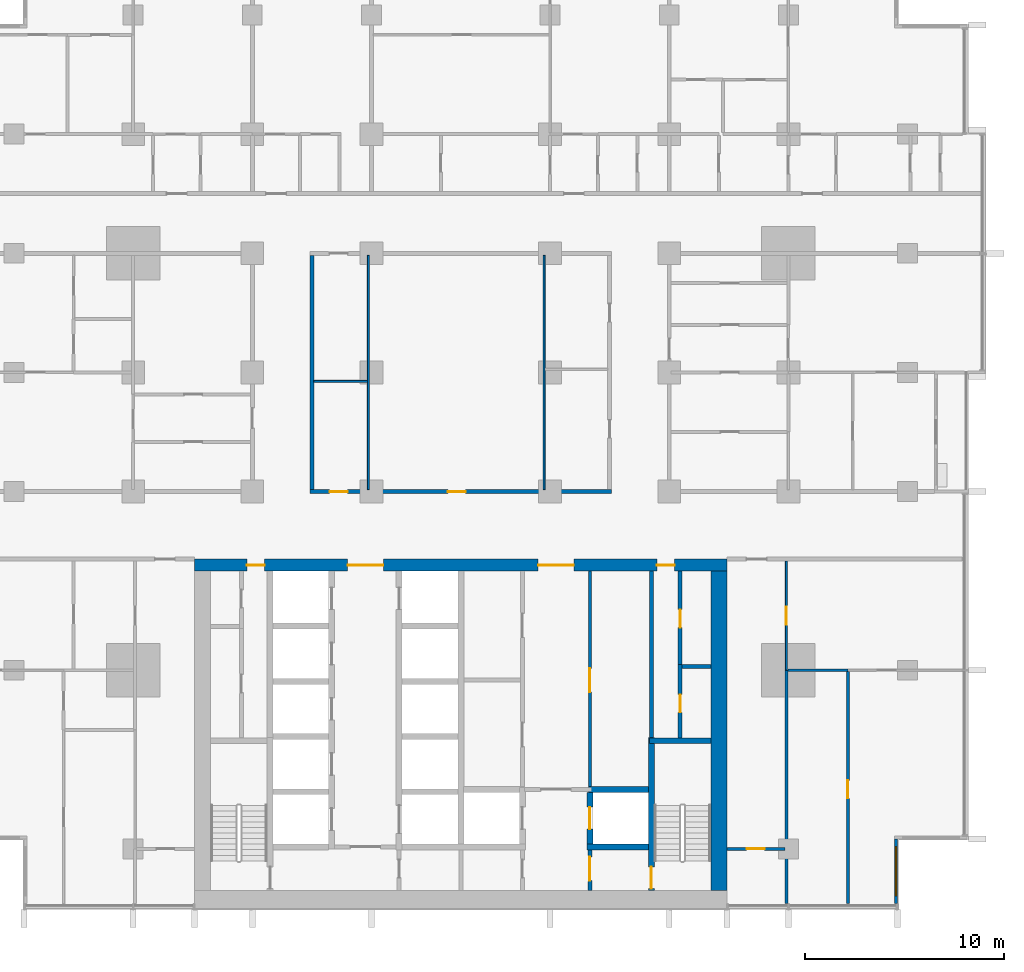
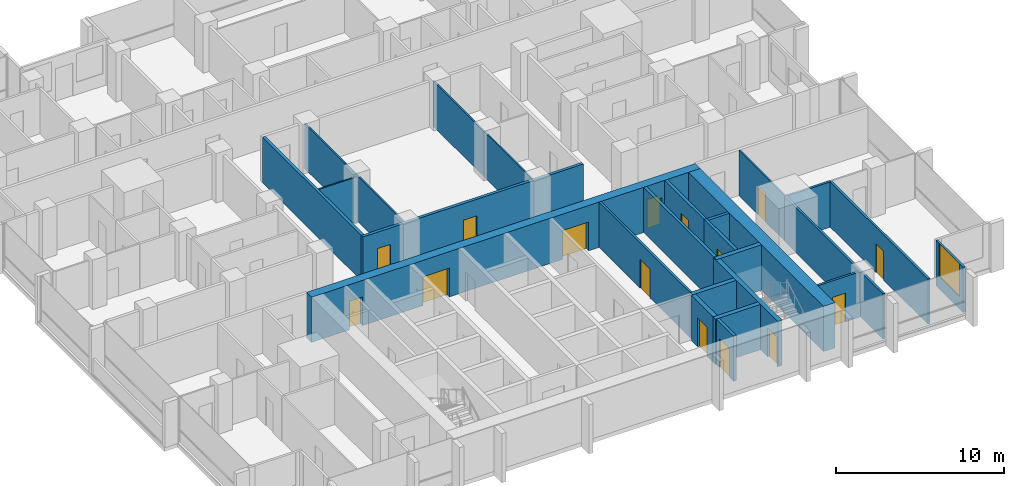
# One storey, part 9 of 18: 24 walls, 15 doors, 1 window, 16 openings.
"""IFC4 building model written with IfcOpenShell, lengths in metres."""

import ifcopenshell
import ifcopenshell.guid

model = None  # the IFC model being written
_history = None  # IfcOwnerHistory: only IFC2X3 demands one
_inside = {}  # id of a spatial element -> (the spatial element, [elements in it])
_under = {}  # id of a project, library or spatial element -> (it, [spatial elements below it])
_declared = {}  # id of a project -> (the project, [libraries it declares])
_typed = {}  # id of a type object -> (the type object, [elements of that type])
_made_of = {}  # id of a material, layer set ... -> (it, [elements and type objects made of it])


def new_model(schema):
    """Start an empty IFC model of exactly this schema.

    Asked for "IFC4X3", IfcOpenShell would pick the latest addendum, in which some entities
    have other attributes; the version numbers below select the first issue.
    IFC2X3 requires an IfcOwnerHistory on every rooted entity: one is made here for all.
    """
    global model, _history
    if schema == "IFC4X3":
        model = ifcopenshell.file(schema_version=(4, 3, 0, 0))
    else:
        model = ifcopenshell.file(schema=schema)
    _inside.clear()
    _under.clear()
    _declared.clear()
    _typed.clear()
    _made_of.clear()
    _history = None
    if model.schema == "IFC2X3":
        org = make("IfcOrganization", Name="unknown")
        user = make(
            "IfcPersonAndOrganization",
            ThePerson=make("IfcPerson", FamilyName="unknown"),
            TheOrganization=org,
        )
        app = make(
            "IfcApplication",
            ApplicationDeveloper=org,
            Version="unknown",
            ApplicationFullName="unknown",
            ApplicationIdentifier="unknown",
        )
        _history = make(
            "IfcOwnerHistory",
            OwningUser=user,
            OwningApplication=app,
            ChangeAction="ADDED",
            CreationDate=0,
        )
    return model


def make(cls, **values):
    """One entity of the class cls with the attributes given. An attribute that is None is left unset."""
    return model.create_entity(
        cls, **{name: value for name, value in values.items() if value is not None}
    )


def rooted(cls, **values):
    """An entity with a GlobalId (a new one), such as an element, a storey or a relation."""
    return make(cls, GlobalId=ifcopenshell.guid.new(), OwnerHistory=_history, **values)


def si_unit(unit_type, name, prefix=None):
    """IfcSIUnit, for example si_unit("LENGTHUNIT", "METRE", prefix="MILLI")."""
    return make("IfcSIUnit", UnitType=unit_type, Prefix=prefix, Name=name)


def assignment(units):
    """IfcUnitAssignment: the units of a project."""
    return None if units is None else make("IfcUnitAssignment", Units=units)


def point(xyz):
    """IfcCartesianPoint."""
    return None if xyz is None else make("IfcCartesianPoint", Coordinates=xyz)


def direction(xyz):
    """IfcDirection."""
    return None if xyz is None else make("IfcDirection", DirectionRatios=xyz)


def frame(location, z_axis=None, x_axis=None):
    """IfcAxis2Placement3D, a coordinate frame: its origin and axes. An axis left out is left unset."""
    return make(
        "IfcAxis2Placement3D",
        Location=point(location),
        Axis=direction(z_axis),
        RefDirection=direction(x_axis),
    )


def frame_2d(location, x_axis=None):
    """IfcAxis2Placement2D, a coordinate frame in the plane: its origin and x axis."""
    return make(
        "IfcAxis2Placement2D", Location=point(location), RefDirection=direction(x_axis)
    )


def origin():
    """The frame at (0, 0, 0) with its axes left unset."""
    return frame((0.0, 0.0, 0.0))


def place(relative_to, where):
    """IfcLocalPlacement: puts the frame where relative to a parent placement (None: the world)."""
    return make(
        "IfcLocalPlacement", PlacementRelTo=relative_to, RelativePlacement=where
    )


def context(
    kind, dimensions, precision=None, world=None, true_north=None, identifier=None
):
    """IfcGeometricRepresentationContext, for example the 3D "Model" context."""
    return make(
        "IfcGeometricRepresentationContext",
        ContextIdentifier=identifier,
        ContextType=kind,
        CoordinateSpaceDimension=dimensions,
        Precision=precision,
        WorldCoordinateSystem=world,
        TrueNorth=true_north,
    )


def subcontext(parent, identifier, kind, view, scale=None):
    """IfcGeometricRepresentationSubContext, for example "Body" below "Model"."""
    return make(
        "IfcGeometricRepresentationSubContext",
        ContextIdentifier=identifier,
        ContextType=kind,
        ParentContext=parent,
        TargetScale=scale,
        TargetView=view,
    )


def project(units=None, contexts=None):
    """IfcProject with its units and contexts."""
    return rooted(
        "IfcProject",
        Name="project",
        RepresentationContexts=contexts,
        UnitsInContext=assignment(units),
    )


def spatial(cls, under=None, at=None, **own):
    """A site, building, storey or space (cls), placed at a placement, below another one or the project."""
    s = rooted(cls, ObjectPlacement=at, **own)
    if under is not None:
        _under.setdefault(under.id(), (under, []))[1].append(s)
    return s


def profile(cls, at=None, kind="AREA", **sizes):
    """A parametric profile (cls). Its sizes go by their IFC names, for example OverallWidth=200.0."""
    return make(cls, ProfileType=kind, Position=at, **sizes)


def rectangle(**sizes):
    """IfcRectangleProfileDef."""
    return profile("IfcRectangleProfileDef", **sizes)


def extrude(swept, where, along, depth):
    """IfcExtrudedAreaSolid: the profile swept, set in the frame where, extruded along a direction by depth."""
    return make(
        "IfcExtrudedAreaSolid",
        SweptArea=swept,
        Position=where,
        ExtrudedDirection=direction(along),
        Depth=depth,
    )


def shape(context_of_items, identifier, shape_type, items):
    """IfcShapeRepresentation: the items that make up one representation, for example the "Body"."""
    return make(
        "IfcShapeRepresentation",
        ContextOfItems=context_of_items,
        RepresentationIdentifier=identifier,
        RepresentationType=shape_type,
        Items=items,
    )


def material(Name=None, Category=None):
    """IfcMaterial."""
    return make("IfcMaterial", Name=Name, Category=Category)


def layer(
    of_material, thickness, ventilated=None, Name=None, Category=None, Priority=None
):
    """IfcMaterialLayer: one layer of a wall or slab, of a material (None: an air gap)."""
    return make(
        "IfcMaterialLayer",
        Material=of_material,
        LayerThickness=thickness,
        IsVentilated=ventilated,
        Name=Name,
        Category=Category,
        Priority=Priority,
    )


def layer_set(layers, Name=None):
    """IfcMaterialLayerSet."""
    return make("IfcMaterialLayerSet", MaterialLayers=layers, LayerSetName=Name)


def made_of(thing, what):
    """Note that an element or type object is made of a material, layer set ...; save() writes the relation."""
    if what is not None:
        _made_of.setdefault(what.id(), (what, []))[1].append(thing)
    return thing


def type_object(cls, material=None, **own):
    """A type object (cls), such as IfcWallType, which elements share."""
    return made_of(rooted(cls, **own), material)


def element(
    cls,
    number,
    at=None,
    inside=None,
    cuts=None,
    type_object=None,
    material=None,
    context=None,
    identifier="Body",
    shape_type=None,
    held_by="IfcProductDefinitionShape",
    body=None,
    shapes=None,
    **own,
):
    """One element of the class cls, such as IfcWall. Its Tag is "e" and its number.

    at: its placement. inside: the storey or other place that contains it. cuts: it is an
    opening in that element (IfcRelVoidsElement). A single representation is given by context,
    identifier, shape_type and body (its items); several are given by shapes. held_by: the class
    of the entity that holds the representations. save() writes the other relations.
    """
    e = rooted(cls, Tag="e%d" % number, ObjectPlacement=at, **own)
    if body is not None:
        shapes = [shape(context, identifier, shape_type, body)]
    if shapes is not None:
        e.Representation = make(held_by, Representations=shapes)
    if inside is not None:
        _inside.setdefault(inside.id(), (inside, []))[1].append(e)
    if cuts is not None:
        rooted(
            "IfcRelVoidsElement", RelatingBuildingElement=cuts, RelatedOpeningElement=e
        )
    if type_object is not None:
        _typed.setdefault(type_object.id(), (type_object, []))[1].append(e)
    return made_of(e, material)


def fill(opening, filler):
    """IfcRelFillsElement: the door or window that sits in an opening."""
    return rooted(
        "IfcRelFillsElement",
        RelatingOpeningElement=opening,
        RelatedBuildingElement=filler,
    )


def aggregate(whole, parts):
    """IfcRelAggregates: a whole, such as a stair, and the parts it consists of."""
    return rooted("IfcRelAggregates", RelatingObject=whole, RelatedObjects=parts)


def save(model, path):
    """Write the relations noted so far, then the file.

    IfcRelAggregates (storeys below a building ...), IfcRelContainedInSpatialStructure (elements
    in a storey), IfcRelDefinesByType, IfcRelAssociatesMaterial and IfcRelDeclares: one each for
    every whole, place, type object, material and project.
    """
    for whole, parts in _under.values():
        aggregate(whole, parts)
    for where, things in _inside.values():
        rooted(
            "IfcRelContainedInSpatialStructure",
            RelatedElements=things,
            RelatingStructure=where,
        )
    for kind, things in _typed.values():
        rooted("IfcRelDefinesByType", RelatedObjects=things, RelatingType=kind)
    for what, things in _made_of.values():
        rooted("IfcRelAssociatesMaterial", RelatedObjects=things, RelatingMaterial=what)
    for by, libraries in _declared.values():
        rooted("IfcRelDeclares", RelatingContext=by, RelatedDefinitions=libraries)
    model.write(path)


model = new_model("IFC4")

# Units and contexts
model_context = context("Model", 3, precision=1e-05, world=origin(), true_north=direction((0.0, 1.0)))
body_context = subcontext(model_context, "Body", "Model", "MODEL_VIEW")
ifc_project = project(units=[si_unit("LENGTHUNIT", "METRE"), si_unit("AREAUNIT", "SQUARE_METRE"), si_unit("VOLUMEUNIT", "CUBIC_METRE"), si_unit("PLANEANGLEUNIT", "RADIAN"), si_unit("MASSUNIT", "GRAM", prefix="KILO")], contexts=[model_context])

# Site, building, storey
site_placement = place(None, origin())
site = spatial("IfcSite", under=ifc_project, at=site_placement, CompositionType="ELEMENT")
building_placement = place(site_placement, origin())
building = spatial("IfcBuilding", under=site, at=building_placement, Name="Finial Court Residences", CompositionType="ELEMENT")
storey_placement = place(building_placement, frame((0.0, 0.0, 106.300048828125)))
storey = spatial("IfcBuildingStorey", under=building, at=storey_placement, Name="L26", CompositionType="ELEMENT", Elevation=106.300048828125)

# Wall, openings, doors
ifc_material_1 = material(Name="Concrete C70/85", Category="concrete")
ifc_layer_1 = layer(ifc_material_1, 0.60009765625)
ifc_layer_set_1 = layer_set([ifc_layer_1], Name="Core outer wall 600 Concrete C70/85")
wall_type_1 = type_object("IfcWallType", Name="Core outer wall 600 Concrete C70/85", PredefinedType="SHEAR", material=ifc_layer_set_1)
wall_1_placement = place(storey_placement, frame((-13.39990234375, -8.199951171875, 0.0), z_axis=(0.0, 0.0, 1.0), x_axis=(1.0, 0.0, 0.0)))
wall_1 = element("IfcWall", 1, at=wall_1_placement, inside=storey, type_object=wall_type_1, Name="Core outer wall L26-02", PredefinedType="SHEAR", context=body_context, shape_type="SweptSolid", body=[
    extrude(rectangle(XDim=26.7998046875, YDim=0.60009765625, at=frame_2d((13.39990234375, 0.0))), origin(), (0.0, 0.0, 1.0), 3.300048828125),
])
opening_1_placement = place(wall_1_placement, frame((7.699951171875, 0.0, 0.0)))
opening_1 = element("IfcOpeningElement", 2, at=opening_1_placement, cuts=wall_1, Name="Opening L26-C04", PredefinedType="OPENING", context=body_context, shape_type="SweptSolid", body=[
    extrude(rectangle(XDim=1.800048828125, YDim=2.10009765625, at=frame_2d((0.89990234375, 1.050048828125))), frame((0.0, 0.31005859375, 0.0), z_axis=(0.0, -1.0, 0.0), x_axis=(1.0, 0.0, 0.0)), (0.0, 0.0, 1.0), 0.6201171875),
])
opening_2_placement = place(wall_1_placement, frame((17.300048828125, 0.0, 0.0)))
opening_2 = element("IfcOpeningElement", 3, at=opening_2_placement, cuts=wall_1, Name="Opening L26-C05", PredefinedType="OPENING", context=body_context, shape_type="SweptSolid", body=[
    extrude(rectangle(XDim=1.800048828125, YDim=2.10009765625, at=frame_2d((0.89990234375, 1.050048828125))), frame((0.0, 0.31005859375, 0.0), z_axis=(0.0, -1.0, 0.0), x_axis=(1.0, 0.0, 0.0)), (0.0, 0.0, 1.0), 0.6201171875),
])
opening_3_placement = place(wall_1_placement, frame((2.625, 0.0, 0.0)))
opening_3 = element("IfcOpeningElement", 4, at=opening_3_placement, cuts=wall_1, Name="Opening L26-C11", PredefinedType="OPENING", context=body_context, shape_type="SweptSolid", body=[
    extrude(rectangle(XDim=0.89990234375, YDim=2.10009765625, at=frame_2d((0.449951171875, 1.050048828125))), frame((0.0, 0.31005859375, 0.0), z_axis=(0.0, -1.0, 0.0), x_axis=(1.0, 0.0, 0.0)), (0.0, 0.0, 1.0), 0.6201171875),
])
opening_4_placement = place(wall_1_placement, frame((23.27490234375, 0.0, 0.0)))
opening_4 = element("IfcOpeningElement", 5, at=opening_4_placement, cuts=wall_1, Name="Opening L26-C12", PredefinedType="OPENING", context=body_context, shape_type="SweptSolid", body=[
    extrude(rectangle(XDim=0.89990234375, YDim=2.10009765625, at=frame_2d((0.449951171875, 1.050048828125))), frame((0.0, 0.31005859375, 0.0), z_axis=(0.0, -1.0, 0.0), x_axis=(1.0, 0.0, 0.0)), (0.0, 0.0, 1.0), 0.6201171875),
])
ifc_material_2 = material(Name="Steel fire door", Category="steel")
door_type_1 = type_object("IfcDoorType", Name="Lift lobby door 1800 x 2100 EI 60", OperationType="DOUBLE_DOOR_SINGLE_SWING", PredefinedType="DOOR", material=ifc_material_2)
door_1_placement = place(opening_1_placement, origin())
door_1 = element("IfcDoor", 6, at=door_1_placement, inside=storey, type_object=door_type_1, Name="Lift lobby door L26-C04", OperationType="DOUBLE_DOOR_SINGLE_SWING", OverallHeight=2.10009765625, OverallWidth=1.800048828125, PredefinedType="DOOR", context=body_context, shape_type="SweptSolid", body=[
    extrude(rectangle(XDim=1.800048828125, YDim=2.10009765625, at=frame_2d((0.89990234375, 1.050048828125))), frame((0.0, 0.02490234375, 0.0), z_axis=(0.0, -1.0, 0.0), x_axis=(1.0, 0.0, 0.0)), (0.0, 0.0, 1.0), 0.050048828125),
])
fill(opening_1, door_1)
door_2_placement = place(opening_2_placement, origin())
door_2 = element("IfcDoor", 7, at=door_2_placement, inside=storey, type_object=door_type_1, Name="Lift lobby door L26-C05", OperationType="DOUBLE_DOOR_SINGLE_SWING", OverallHeight=2.10009765625, OverallWidth=1.800048828125, PredefinedType="DOOR", context=body_context, shape_type="SweptSolid", body=[
    extrude(rectangle(XDim=1.800048828125, YDim=2.10009765625, at=frame_2d((0.89990234375, 1.050048828125))), frame((0.0, 0.02490234375, 0.0), z_axis=(0.0, -1.0, 0.0), x_axis=(1.0, 0.0, 0.0)), (0.0, 0.0, 1.0), 0.050048828125),
])
fill(opening_2, door_2)
door_type_2 = type_object("IfcDoorType", Name="Riser room door 900 x 2100 EI 90", OperationType="NOTDEFINED", PredefinedType="DOOR", material=ifc_material_2)
door_3_placement = place(opening_3_placement, origin())
door_3 = element("IfcDoor", 8, at=door_3_placement, inside=storey, type_object=door_type_2, Name="Riser room door L26-C11", OperationType="SINGLE_SWING_RIGHT", OverallHeight=2.10009765625, OverallWidth=0.89990234375, PredefinedType="DOOR", context=body_context, shape_type="SweptSolid", body=[
    extrude(rectangle(XDim=0.89990234375, YDim=2.10009765625, at=frame_2d((0.449951171875, 1.050048828125))), frame((0.0, 0.02490234375, 0.0), z_axis=(0.0, -1.0, 0.0), x_axis=(1.0, 0.0, 0.0)), (0.0, 0.0, 1.0), 0.050048828125),
])
fill(opening_3, door_3)
door_4_placement = place(opening_4_placement, origin())
door_4 = element("IfcDoor", 9, at=door_4_placement, inside=storey, type_object=door_type_2, Name="Riser room door L26-C12", OperationType="SINGLE_SWING_LEFT", OverallHeight=2.10009765625, OverallWidth=0.89990234375, PredefinedType="DOOR", context=body_context, shape_type="SweptSolid", body=[
    extrude(rectangle(XDim=0.89990234375, YDim=2.10009765625, at=frame_2d((0.449951171875, 1.050048828125))), frame((0.0, 0.02490234375, 0.0), z_axis=(0.0, -1.0, 0.0), x_axis=(1.0, 0.0, 0.0)), (0.0, 0.0, 1.0), 0.050048828125),
])
fill(opening_4, door_4)

# Wall
ifc_layer_2 = layer(ifc_material_1, 0.800048828125)
ifc_layer_set_2 = layer_set([ifc_layer_2], Name="Core outer wall 800 Concrete C70/85")
wall_type_2 = type_object("IfcWallType", Name="Core outer wall 800 Concrete C70/85", PredefinedType="SHEAR", material=ifc_layer_set_2)
wall_2_placement = place(storey_placement, frame((13.0, -24.60009765625, 0.0), z_axis=(0.0, 0.0, 1.0), x_axis=(0.0, 1.0, 0.0)))
element("IfcWall", 10, at=wall_2_placement, inside=storey, type_object=wall_type_2, Name="Core outer wall L26-04", PredefinedType="SHEAR", context=body_context, shape_type="SweptSolid", body=[
    extrude(rectangle(XDim=16.10009765625, YDim=0.800048828125, at=frame_2d((8.050048828125, 0.0))), origin(), (0.0, 0.0, 1.0), 3.300048828125),
])

# Wall, opening, door
ifc_material_3 = material(Name="Fire-rated gypsum board partition")
ifc_layer_3 = layer(ifc_material_3, 0.14990234375)
ifc_layer_set_3 = layer_set([ifc_layer_3], Name="Core room partition 150 EI 60")
wall_type_3 = type_object("IfcWallType", Name="Core room partition 150 EI 60", PredefinedType="PARTITIONING", material=ifc_layer_set_3)
wall_3_placement = place(storey_placement, frame((6.5, -8.5, 0.0), z_axis=(0.0, 0.0, 1.0), x_axis=(0.0, -1.0, 0.0)))
wall_3 = element("IfcWall", 11, at=wall_3_placement, inside=storey, type_object=wall_type_3, Name="Core partition L26-35", PredefinedType="PARTITIONING", context=body_context, shape_type="SweptSolid", body=[
    extrude(rectangle(XDim=10.85009765625, YDim=0.14990234375, at=frame_2d((5.425048828125, 0.0))), origin(), (0.0, 0.0, 1.0), 3.300048828125),
])
opening_5_placement = place(wall_3_placement, frame((4.89990234375, 0.0, 0.0)))
opening_5 = element("IfcOpeningElement", 12, at=opening_5_placement, cuts=wall_3, Name="Opening L26-C16", PredefinedType="OPENING", context=body_context, shape_type="SweptSolid", body=[
    extrude(rectangle(XDim=1.199951171875, YDim=2.10009765625, at=frame_2d((0.60009765625, 1.050048828125))), frame((0.0, 0.0849609375, 0.0), z_axis=(0.0, -1.0, 0.0), x_axis=(1.0, 0.0, 0.0)), (0.0, 0.0, 1.0), 0.169921875),
])
door_type_3 = type_object("IfcDoorType", Name="Core room door 1200 x 2100 EI 60", OperationType="NOTDEFINED", PredefinedType="DOOR", material=ifc_material_2)
door_5_placement = place(opening_5_placement, origin())
door_5 = element("IfcDoor", 13, at=door_5_placement, inside=storey, type_object=door_type_3, Name="Core room door L26-C16", OperationType="SINGLE_SWING_RIGHT", OverallHeight=2.10009765625, OverallWidth=1.199951171875, PredefinedType="DOOR", context=body_context, shape_type="SweptSolid", body=[
    extrude(rectangle(XDim=1.199951171875, YDim=2.10009765625, at=frame_2d((0.60009765625, 1.050048828125))), frame((0.0, 0.02490234375, 0.0), z_axis=(0.0, -1.0, 0.0), x_axis=(1.0, 0.0, 0.0)), (0.0, 0.0, 1.0), 0.050048828125),
])
fill(opening_5, door_5)

# Wall, openings, doors
ifc_material_4 = material(Name="Gypsum board")
ifc_layer_4 = layer(ifc_material_4, 0.02490234375)
ifc_material_5 = material(Name="Acoustic mineral wool in double frame")
ifc_layer_5 = layer(ifc_material_5, 0.14990234375)
ifc_layer_6 = layer(ifc_material_4, 0.02490234375)
ifc_layer_set_4 = layer_set([ifc_layer_4, ifc_layer_5, ifc_layer_6], Name="Corridor wall 200, 1 hour")
wall_type_4 = type_object("IfcWallType", Name="Corridor wall 200, 1 hour", PredefinedType="PARTITIONING", material=ifc_layer_set_4)
wall_4_placement = place(storey_placement, frame((-7.60009765625, -4.5, 0.0), z_axis=(0.0, 0.0, 1.0), x_axis=(1.0, 0.0, 0.0)))
wall_4 = element("IfcWall", 14, at=wall_4_placement, inside=storey, type_object=wall_type_4, Name="Partition L26-010", PredefinedType="PARTITIONING", context=body_context, shape_type="SweptSolid", body=[
    extrude(rectangle(XDim=15.2001953125, YDim=0.199951171875, at=frame_2d((7.60009765625, 0.0))), origin(), (0.0, 0.0, 1.0), 3.300048828125),
])
opening_6_placement = place(wall_4_placement, frame((1.0, 0.0, 0.0)))
opening_6 = element("IfcOpeningElement", 15, at=opening_6_placement, cuts=wall_4, Name="Opening L26-D007", PredefinedType="OPENING", context=body_context, shape_type="SweptSolid", body=[
    extrude(rectangle(XDim=0.89990234375, YDim=2.10009765625, at=frame_2d((0.449951171875, 1.050048828125))), frame((0.0, 0.10986328125, 0.0), z_axis=(0.0, -1.0, 0.0), x_axis=(1.0, 0.0, 0.0)), (0.0, 0.0, 1.0), 0.219970703125),
])
opening_7_placement = place(wall_4_placement, frame((6.949951171875, 0.0, 0.0)))
opening_7 = element("IfcOpeningElement", 16, at=opening_7_placement, cuts=wall_4, Name="Opening L26-D008", PredefinedType="OPENING", context=body_context, shape_type="SweptSolid", body=[
    extrude(rectangle(XDim=0.89990234375, YDim=2.10009765625, at=frame_2d((0.449951171875, 1.050048828125))), frame((0.0, 0.10986328125, 0.0), z_axis=(0.0, -1.0, 0.0), x_axis=(1.0, 0.0, 0.0)), (0.0, 0.0, 1.0), 0.219970703125),
])
ifc_material_6 = material(Name="Timber door leaf in hollow metal frame", Category="wood")
door_type_4 = type_object("IfcDoorType", Name="Fire door set 900 x 2100, 30 minutes", OperationType="SINGLE_SWING_LEFT", PredefinedType="DOOR", material=ifc_material_6)
door_6_placement = place(opening_6_placement, origin())
door_6 = element("IfcDoor", 17, at=door_6_placement, inside=storey, type_object=door_type_4, Name="Door L26-D007", OperationType="SINGLE_SWING_RIGHT", OverallHeight=2.10009765625, OverallWidth=0.89990234375, PredefinedType="DOOR", context=body_context, shape_type="SweptSolid", body=[
    extrude(rectangle(XDim=0.89990234375, YDim=2.10009765625, at=frame_2d((0.449951171875, 1.050048828125))), frame((0.0, 0.02490234375, 0.0), z_axis=(0.0, -1.0, 0.0), x_axis=(1.0, 0.0, 0.0)), (0.0, 0.0, 1.0), 0.050048828125),
])
fill(opening_6, door_6)
door_7_placement = place(opening_7_placement, origin())
door_7 = element("IfcDoor", 18, at=door_7_placement, inside=storey, type_object=door_type_4, Name="Door L26-D008", OperationType="SINGLE_SWING_RIGHT", OverallHeight=2.10009765625, OverallWidth=0.89990234375, PredefinedType="DOOR", context=body_context, shape_type="SweptSolid", body=[
    extrude(rectangle(XDim=0.89990234375, YDim=2.10009765625, at=frame_2d((0.449951171875, 1.050048828125))), frame((0.0, 0.02490234375, 0.0), z_axis=(0.0, -1.0, 0.0), x_axis=(1.0, 0.0, 0.0)), (0.0, 0.0, 1.0), 0.050048828125),
])
fill(opening_7, door_7)

# Wall
wall_5_placement = place(storey_placement, frame((-7.5, -4.39990234375, 0.0), z_axis=(0.0, 0.0, 1.0), x_axis=(0.0, 1.0, 0.0)))
element("IfcWall", 19, at=wall_5_placement, inside=storey, type_object=wall_type_4, Name="Partition L26-065", PredefinedType="PARTITIONING", context=body_context, shape_type="SweptSolid", body=[
    extrude(rectangle(XDim=11.7998046875, YDim=0.199951171875, at=frame_2d((5.89990234375, 0.0))), origin(), (0.0, 0.0, 1.0), 3.300048828125),
])

# Wall, opening, door
ifc_layer_7 = layer(ifc_material_3, 0.199951171875)
ifc_layer_set_5 = layer_set([ifc_layer_7], Name="Firefighting lobby wall 200 EI 120")
wall_type_5 = type_object("IfcWallType", Name="Firefighting lobby wall 200 EI 120", PredefinedType="PARTITIONING", material=ifc_layer_set_5)
wall_6_placement = place(storey_placement, frame((6.5, -22.550048828125, 0.0), z_axis=(0.0, 0.0, 1.0), x_axis=(0.0, -1.0, 0.0)))
wall_6 = element("IfcWall", 20, at=wall_6_placement, inside=storey, type_object=wall_type_5, Name="Core partition L26-33", PredefinedType="PARTITIONING", context=body_context, shape_type="SweptSolid", body=[
    extrude(rectangle(XDim=2.050048828125, YDim=0.199951171875, at=frame_2d((1.02490234375, 0.0))), origin(), (0.0, 0.0, 1.0), 3.300048828125),
])
opening_8_placement = place(wall_6_placement, frame((0.35009765625, 0.0, 0.0)))
opening_8 = element("IfcOpeningElement", 21, at=opening_8_placement, cuts=wall_6, Name="Opening L26-C01", PredefinedType="OPENING", context=body_context, shape_type="SweptSolid", body=[
    extrude(rectangle(XDim=1.199951171875, YDim=2.10009765625, at=frame_2d((0.60009765625, 1.050048828125))), frame((0.0, 0.10986328125, 0.0), z_axis=(0.0, -1.0, 0.0), x_axis=(1.0, 0.0, 0.0)), (0.0, 0.0, 1.0), 0.219970703125),
])
door_type_5 = type_object("IfcDoorType", Name="Firefighting lobby door 1200 x 2100 EI 90", OperationType="NOTDEFINED", PredefinedType="DOOR", material=ifc_material_2)
door_8_placement = place(opening_8_placement, origin())
door_8 = element("IfcDoor", 22, at=door_8_placement, inside=storey, type_object=door_type_5, Name="Firefighting lobby door L26-C01", OperationType="SINGLE_SWING_RIGHT", OverallHeight=2.10009765625, OverallWidth=1.199951171875, PredefinedType="DOOR", context=body_context, shape_type="SweptSolid", body=[
    extrude(rectangle(XDim=1.199951171875, YDim=2.10009765625, at=frame_2d((0.60009765625, 1.050048828125))), frame((0.0, 0.02490234375, 0.0), z_axis=(0.0, -1.0, 0.0), x_axis=(1.0, 0.0, 0.0)), (0.0, 0.0, 1.0), 0.050048828125),
])
fill(opening_8, door_8)

# Walls
ifc_layer_8 = layer(ifc_material_4, 0.012451171875)
ifc_material_7 = material(Name="Mineral wool in light-gauge frame")
ifc_layer_9 = layer(ifc_material_7, 0.074951171875)
ifc_layer_10 = layer(ifc_material_4, 0.012451171875)
ifc_layer_set_6 = layer_set([ifc_layer_8, ifc_layer_9, ifc_layer_10], Name="Gypsum board partition 100")
wall_type_6 = type_object("IfcWallType", Name="Gypsum board partition 100", PredefinedType="PARTITIONING", material=ifc_layer_set_6)
wall_7_placement = place(storey_placement, frame((-7.39990234375, 1.050048828125, 0.0), z_axis=(0.0, 0.0, 1.0), x_axis=(1.0, 0.0, 0.0)))
element("IfcWall", 23, at=wall_7_placement, inside=storey, type_object=wall_type_6, Name="Partition L26-015", PredefinedType="PARTITIONING", context=body_context, shape_type="SweptSolid", body=[
    extrude(rectangle(XDim=2.699951171875, YDim=0.10009765625, at=frame_2d((1.35009765625, 0.0))), origin(), (0.0, 0.0, 1.0), 3.300048828125),
])
for number, where, z_axis, x_axis, name in (
    (24, (-4.64990234375, -4.39990234375, 0.0), (0.0, 0.0, 1.0), (0.0, 1.0, 0.0), "Partition L26-067"),
    (25, (4.199951171875, -4.39990234375, 0.0), (0.0, 0.0, 1.0), (0.0, 1.0, 0.0), "Partition L26-070"),
):
    element("IfcWall", number, at=place(storey_placement, frame(where, z_axis=z_axis, x_axis=x_axis)), inside=storey, type_object=wall_type_6, Name=name, PredefinedType="PARTITIONING", context=body_context, shape_type="SweptSolid", body=[
        extrude(rectangle(XDim=11.7998046875, YDim=0.10009765625, at=frame_2d((5.89990234375, 0.0))), origin(), (0.0, 0.0, 1.0), 3.300048828125),
    ])

# Wall, opening, door
wall_8_placement = place(storey_placement, frame((16.39990234375, -13.5, 0.0), z_axis=(0.0, 0.0, 1.0), x_axis=(0.0, 1.0, 0.0)))
wall_8 = element("IfcWall", 26, at=wall_8_placement, inside=storey, type_object=wall_type_6, Name="Partition L26-081", PredefinedType="PARTITIONING", context=body_context, shape_type="SweptSolid", body=[
    extrude(rectangle(XDim=5.5, YDim=0.10009765625, at=frame_2d((2.75, 0.0))), origin(), (0.0, 0.0, 1.0), 3.300048828125),
])
opening_9_placement = place(wall_8_placement, frame((2.300048828125, 0.0, 0.0)))
opening_9 = element("IfcOpeningElement", 27, at=opening_9_placement, cuts=wall_8, Name="Opening L26-D052", PredefinedType="OPENING", context=body_context, shape_type="SweptSolid", body=[
    extrude(rectangle(XDim=0.89990234375, YDim=2.10009765625, at=frame_2d((0.449951171875, 1.050048828125))), frame((0.0, 0.06005859375, 0.0), z_axis=(0.0, -1.0, 0.0), x_axis=(1.0, 0.0, 0.0)), (0.0, 0.0, 1.0), 0.1201171875),
])
ifc_material_8 = material(Name="Timber door leaf in timber frame", Category="wood")
door_type_6 = type_object("IfcDoorType", Name="Door set 900 x 2100", OperationType="SINGLE_SWING_LEFT", PredefinedType="DOOR", material=ifc_material_8)
door_9_placement = place(opening_9_placement, origin())
door_9 = element("IfcDoor", 28, at=door_9_placement, inside=storey, type_object=door_type_6, Name="Door L26-D052", OperationType="SINGLE_SWING_LEFT", OverallHeight=2.10009765625, OverallWidth=0.89990234375, PredefinedType="DOOR", context=body_context, shape_type="SweptSolid", body=[
    extrude(rectangle(XDim=0.89990234375, YDim=2.10009765625, at=frame_2d((0.449951171875, 1.050048828125))), frame((0.0, 0.02490234375, 0.0), z_axis=(0.0, -1.0, 0.0), x_axis=(1.0, 0.0, 0.0)), (0.0, 0.0, 1.0), 0.050048828125),
])
fill(opening_9, door_9)

ifc_material_9 = material(Name="Moisture-resistant gypsum board")
ifc_layer_11 = layer(ifc_material_9, 0.012451171875)
ifc_layer_12 = layer(ifc_material_7, 0.125)
ifc_layer_13 = layer(ifc_material_9, 0.012451171875)
ifc_layer_set_7 = layer_set([ifc_layer_11, ifc_layer_12, ifc_layer_13], Name="Gypsum board wet-area partition 150")
wall_type_7 = type_object("IfcWallType", Name="Gypsum board wet-area partition 150", PredefinedType="PARTITIONING", material=ifc_layer_set_7)
wall_9_placement = place(storey_placement, frame((13.39990234375, -22.5, 0.0), z_axis=(0.0, 0.0, 1.0), x_axis=(1.0, 0.0, 0.0)))
wall_9 = element("IfcWall", 29, at=wall_9_placement, inside=storey, type_object=wall_type_7, Name="Partition L26-001", PredefinedType="PARTITIONING", context=body_context, shape_type="SweptSolid", body=[
    extrude(rectangle(XDim=2.925048828125, YDim=0.14990234375, at=frame_2d((1.46240234375, 0.0))), origin(), (0.0, 0.0, 1.0), 3.300048828125),
])
opening_10_placement = place(wall_9_placement, frame((1.0, 0.0, 0.0)))
opening_10 = element("IfcOpeningElement", 30, at=opening_10_placement, cuts=wall_9, Name="Opening L26-D002", PredefinedType="OPENING", context=body_context, shape_type="SweptSolid", body=[
    extrude(rectangle(XDim=0.89990234375, YDim=2.10009765625, at=frame_2d((0.449951171875, 1.050048828125))), frame((0.0, 0.0849609375, 0.0), z_axis=(0.0, -1.0, 0.0), x_axis=(1.0, 0.0, 0.0)), (0.0, 0.0, 1.0), 0.169921875),
])
door_10_placement = place(opening_10_placement, origin())
door_10 = element("IfcDoor", 31, at=door_10_placement, inside=storey, type_object=door_type_6, Name="Door L26-D002", OperationType="SINGLE_SWING_LEFT", OverallHeight=2.10009765625, OverallWidth=0.89990234375, PredefinedType="DOOR", context=body_context, shape_type="SweptSolid", body=[
    extrude(rectangle(XDim=0.89990234375, YDim=2.10009765625, at=frame_2d((0.449951171875, 1.050048828125))), frame((0.0, 0.02490234375, 0.0), z_axis=(0.0, -1.0, 0.0), x_axis=(1.0, 0.0, 0.0)), (0.0, 0.0, 1.0), 0.050048828125),
])
fill(opening_10, door_10)

# Walls
wall_10_placement = place(storey_placement, frame((16.47509765625, -13.5, 0.0), z_axis=(0.0, 0.0, 1.0), x_axis=(1.0, 0.0, 0.0)))
element("IfcWall", 32, at=wall_10_placement, inside=storey, type_object=wall_type_7, Name="Partition L26-006", PredefinedType="PARTITIONING", context=body_context, shape_type="SweptSolid", body=[
    extrude(rectangle(XDim=3.02490234375, YDim=0.14990234375, at=frame_2d((1.512451171875, 0.0))), origin(), (0.0, 0.0, 1.0), 3.300048828125),
])
wall_11_placement = place(storey_placement, frame((16.39990234375, -25.25, 0.0), z_axis=(0.0, 0.0, 1.0), x_axis=(0.0, 1.0, 0.0)))
element("IfcWall", 33, at=wall_11_placement, inside=storey, type_object=wall_type_7, Name="Partition L26-082", PredefinedType="PARTITIONING", context=body_context, shape_type="SweptSolid", body=[
    extrude(rectangle(XDim=11.75, YDim=0.14990234375, at=frame_2d((5.875, 0.0))), origin(), (0.0, 0.0, 1.0), 3.300048828125),
])

# Wall, opening, door
wall_12_placement = place(storey_placement, frame((19.5, -25.25, 0.0), z_axis=(0.0, 0.0, 1.0), x_axis=(0.0, 1.0, 0.0)))
wall_12 = element("IfcWall", 34, at=wall_12_placement, inside=storey, type_object=wall_type_7, Name="Partition L26-090", PredefinedType="PARTITIONING", context=body_context, shape_type="SweptSolid", body=[
    extrude(rectangle(XDim=11.675048828125, YDim=0.14990234375, at=frame_2d((5.83740234375, 0.0))), origin(), (0.0, 0.0, 1.0), 3.300048828125),
])
opening_11_placement = place(wall_12_placement, frame((5.300048828125, 0.0, 0.0)))
opening_11 = element("IfcOpeningElement", 35, at=opening_11_placement, cuts=wall_12, Name="Opening L26-D057", PredefinedType="OPENING", context=body_context, shape_type="SweptSolid", body=[
    extrude(rectangle(XDim=0.89990234375, YDim=2.10009765625, at=frame_2d((0.449951171875, 1.050048828125))), frame((0.0, 0.0849609375, 0.0), z_axis=(0.0, -1.0, 0.0), x_axis=(1.0, 0.0, 0.0)), (0.0, 0.0, 1.0), 0.169921875),
])
door_11_placement = place(opening_11_placement, origin())
door_11 = element("IfcDoor", 36, at=door_11_placement, inside=storey, type_object=door_type_6, Name="Door L26-D057", OperationType="SINGLE_SWING_LEFT", OverallHeight=2.10009765625, OverallWidth=0.89990234375, PredefinedType="DOOR", context=body_context, shape_type="SweptSolid", body=[
    extrude(rectangle(XDim=0.89990234375, YDim=2.10009765625, at=frame_2d((0.449951171875, 1.050048828125))), frame((0.0, 0.02490234375, 0.0), z_axis=(0.0, -1.0, 0.0), x_axis=(1.0, 0.0, 0.0)), (0.0, 0.0, 1.0), 0.050048828125),
])
fill(opening_11, door_11)

# Walls
ifc_layer_14 = layer(ifc_material_1, 0.300048828125)
ifc_layer_set_8 = layer_set([ifc_layer_14], Name="Lift shaft and stair wall 300 Concrete C70/85")
wall_type_8 = type_object("IfcWallType", Name="Lift shaft and stair wall 300 Concrete C70/85", PredefinedType="SHEAR", material=ifc_layer_set_8)
wall_13_placement = place(storey_placement, frame((6.35009765625, -22.39990234375, 0.0), z_axis=(0.0, 0.0, 1.0), x_axis=(1.0, 0.0, 0.0)))
element("IfcWall", 37, at=wall_13_placement, inside=storey, type_object=wall_type_8, Name="Core wall L26-04", PredefinedType="SHEAR", context=body_context, shape_type="SweptSolid", body=[
    extrude(rectangle(XDim=3.099853515625, YDim=0.300048828125, at=frame_2d((1.5498046875, 0.0))), origin(), (0.0, 0.0, 1.0), 3.300048828125),
])
wall_14_placement = place(storey_placement, frame((6.425048828125, -19.5, 0.0), z_axis=(0.0, 0.0, 1.0), x_axis=(1.0, 0.0, 0.0)))
element("IfcWall", 38, at=wall_14_placement, inside=storey, type_object=wall_type_8, Name="Core wall L26-09", PredefinedType="SHEAR", context=body_context, shape_type="SweptSolid", body=[
    extrude(rectangle(XDim=3.02490234375, YDim=0.300048828125, at=frame_2d((1.512451171875, 0.0))), origin(), (0.0, 0.0, 1.0), 3.300048828125),
])
wall_15_placement = place(storey_placement, frame((9.5, -17.050048828125, 0.0), z_axis=(0.0, 0.0, 1.0), x_axis=(1.0, 0.0, 0.0)))
element("IfcWall", 39, at=wall_15_placement, inside=storey, type_object=wall_type_8, Name="Core wall L26-11", PredefinedType="SHEAR", context=body_context, shape_type="SweptSolid", body=[
    extrude(rectangle(XDim=3.10009765625, YDim=0.300048828125, at=frame_2d((1.550048828125, 0.0))), origin(), (0.0, 0.0, 1.0), 3.300048828125),
])

# Wall, opening, door
wall_16_placement = place(storey_placement, frame((6.5, -22.25, 0.0), z_axis=(0.0, 0.0, 1.0), x_axis=(0.0, 1.0, 0.0)))
wall_16 = element("IfcWall", 40, at=wall_16_placement, inside=storey, type_object=wall_type_8, Name="Core wall L26-34", PredefinedType="SHEAR", context=body_context, shape_type="SweptSolid", body=[
    extrude(rectangle(XDim=2.60009765625, YDim=0.300048828125, at=frame_2d((1.300048828125, 0.0))), origin(), (0.0, 0.0, 1.0), 3.300048828125),
])
opening_12_placement = place(wall_16_placement, frame((0.75, 0.0, 0.0)))
opening_12 = element("IfcOpeningElement", 41, at=opening_12_placement, cuts=wall_16, Name="Opening L26-LD02", PredefinedType="OPENING", context=body_context, shape_type="SweptSolid", body=[
    extrude(rectangle(XDim=1.10009765625, YDim=2.10009765625, at=frame_2d((0.550048828125, 1.050048828125))), frame((0.0, 0.159912109375, 0.0), z_axis=(0.0, -1.0, 0.0), x_axis=(1.0, 0.0, 0.0)), (0.0, 0.0, 1.0), 0.320068359375),
])
ifc_material_10 = material(Name="Stainless steel lift door", Category="steel")
door_type_7 = type_object("IfcDoorType", Name="Lift landing door 1100 x 2100 EI 90", OperationType="DOUBLE_DOOR_SLIDING", PredefinedType="DOOR", material=ifc_material_10)
door_12_placement = place(opening_12_placement, origin())
door_12 = element("IfcDoor", 42, at=door_12_placement, inside=storey, type_object=door_type_7, Name="Lift landing door FF2 L26", OperationType="DOUBLE_DOOR_SLIDING", OverallHeight=2.10009765625, OverallWidth=1.10009765625, PredefinedType="DOOR", context=body_context, shape_type="SweptSolid", body=[
    extrude(rectangle(XDim=1.10009765625, YDim=2.10009765625, at=frame_2d((0.550048828125, 1.050048828125))), frame((0.0, 0.02490234375, 0.0), z_axis=(0.0, -1.0, 0.0), x_axis=(1.0, 0.0, 0.0)), (0.0, 0.0, 1.0), 0.050048828125),
])
fill(opening_12, door_12)

wall_17_placement = place(storey_placement, frame((9.60009765625, -16.89990234375, 0.0), z_axis=(0.0, 0.0, 1.0), x_axis=(0.0, -1.0, 0.0)))
wall_17 = element("IfcWall", 43, at=wall_17_placement, inside=storey, type_object=wall_type_8, Name="Core wall L26-36", PredefinedType="SHEAR", context=body_context, shape_type="SweptSolid", body=[
    extrude(rectangle(XDim=7.7001953125, YDim=0.300048828125, at=frame_2d((3.85009765625, 0.0))), origin(), (0.0, 0.0, 1.0), 3.300048828125),
])
opening_13_placement = place(wall_17_placement, frame((6.5, 0.0, 0.0)))
opening_13 = element("IfcOpeningElement", 44, at=opening_13_placement, cuts=wall_17, Name="Opening L26-C18", PredefinedType="OPENING", context=body_context, shape_type="SweptSolid", body=[
    extrude(rectangle(XDim=1.10009765625, YDim=2.10009765625, at=frame_2d((0.550048828125, 1.050048828125))), frame((0.0, 0.159912109375, 0.0), z_axis=(0.0, -1.0, 0.0), x_axis=(1.0, 0.0, 0.0)), (0.0, 0.0, 1.0), 0.320068359375),
])
door_type_8 = type_object("IfcDoorType", Name="Stair door 1100 x 2100 EI 90", OperationType="NOTDEFINED", PredefinedType="DOOR", material=ifc_material_2)
door_13_placement = place(opening_13_placement, origin())
door_13 = element("IfcDoor", 45, at=door_13_placement, inside=storey, type_object=door_type_8, Name="Stair door L26-C18", OperationType="SINGLE_SWING_RIGHT", OverallHeight=2.10009765625, OverallWidth=1.10009765625, PredefinedType="DOOR", context=body_context, shape_type="SweptSolid", body=[
    extrude(rectangle(XDim=1.10009765625, YDim=2.10009765625, at=frame_2d((0.550048828125, 1.050048828125))), frame((0.0, 0.02490234375, 0.0), z_axis=(0.0, -1.0, 0.0), x_axis=(1.0, 0.0, 0.0)), (0.0, 0.0, 1.0), 0.050048828125),
])
fill(opening_13, door_13)

# Wall, opening, window
ifc_material_11 = material(Name="Natural limestone", Category="masonry")
ifc_layer_15 = layer(ifc_material_11, 0.14990234375)
ifc_layer_set_9 = layer_set([ifc_layer_15], Name="Limestone clad wall 150")
wall_type_9 = type_object("IfcWallType", Name="Limestone clad wall 150", PredefinedType="SOLIDWALL", material=ifc_layer_set_9)
wall_18_placement = place(storey_placement, frame((21.925048828125, -22.0, 0.0), z_axis=(0.0, 0.0, 1.0), x_axis=(0.0, -1.0, 0.0)))
wall_18 = element("IfcWall", 46, at=wall_18_placement, inside=storey, type_object=wall_type_9, Name="E-L26-NWE18", PredefinedType="SOLIDWALL", context=body_context, shape_type="SweptSolid", body=[
    extrude(rectangle(XDim=3.25, YDim=0.14990234375, at=frame_2d((1.625, 0.0))), origin(), (0.0, 0.0, 1.0), 3.300048828125),
])
opening_14_placement = place(wall_18_placement, frame((0.39990234375, 0.0, 0.89990234375)))
opening_14 = element("IfcOpeningElement", 47, at=opening_14_placement, cuts=wall_18, Name="Opening WE26-03", PredefinedType="OPENING", context=body_context, shape_type="SweptSolid", body=[
    extrude(rectangle(XDim=2.449951171875, YDim=2.39990234375, at=frame_2d((1.22509765625, 1.199951171875))), frame((0.0, 0.0849609375, 0.0), z_axis=(0.0, -1.0, 0.0), x_axis=(1.0, 0.0, 0.0)), (0.0, 0.0, 1.0), 0.169921875),
])
ifc_material_12 = material(Name="Clear low-e glass", Category="glass")
window_type = type_object("IfcWindowType", Name="Corner window 2450 x 2400", PartitioningType="SINGLE_PANEL", PredefinedType="WINDOW", material=ifc_material_12)
window_placement = place(opening_14_placement, origin())
window = element("IfcWindow", 48, at=window_placement, inside=storey, type_object=window_type, Name="E-L26-NWE18-W1", OverallHeight=2.39990234375, OverallWidth=2.449951171875, PartitioningType="SINGLE_PANEL", PredefinedType="WINDOW", context=body_context, shape_type="SweptSolid", body=[
    extrude(rectangle(XDim=2.449951171875, YDim=2.39990234375, at=frame_2d((1.22509765625, 1.199951171875))), frame((0.0, 0.030029296875, 0.0), z_axis=(0.0, -1.0, 0.0), x_axis=(1.0, 0.0, 0.0)), (0.0, 0.0, 1.0), 0.06005859375),
])
fill(opening_14, window)

# Wall
ifc_layer_16 = layer(ifc_material_3, 0.199951171875)
ifc_layer_set_10 = layer_set([ifc_layer_16], Name="Riser room wall 200 EI 120")
wall_type_10 = type_object("IfcWallType", Name="Riser room wall 200 EI 120", PredefinedType="PARTITIONING", material=ifc_layer_set_10)
wall_19_placement = place(storey_placement, frame((11.14990234375, -13.300048828125, 0.0), z_axis=(0.0, 0.0, 1.0), x_axis=(1.0, 0.0, 0.0)))
element("IfcWall", 49, at=wall_19_placement, inside=storey, type_object=wall_type_10, Name="Core partition L26-17", PredefinedType="PARTITIONING", context=body_context, shape_type="SweptSolid", body=[
    extrude(rectangle(XDim=1.4501953125, YDim=0.199951171875, at=frame_2d((0.72509765625, 0.0))), origin(), (0.0, 0.0, 1.0), 3.300048828125),
])

# Wall, opening, door
wall_20_placement = place(storey_placement, frame((11.050048828125, -8.5, 0.0), z_axis=(0.0, 0.0, 1.0), x_axis=(0.0, -1.0, 0.0)))
wall_20 = element("IfcWall", 50, at=wall_20_placement, inside=storey, type_object=wall_type_10, Name="Core partition L26-39", PredefinedType="PARTITIONING", context=body_context, shape_type="SweptSolid", body=[
    extrude(rectangle(XDim=4.89990234375, YDim=0.199951171875, at=frame_2d((2.449951171875, 0.0))), origin(), (0.0, 0.0, 1.0), 3.300048828125),
])
opening_15_placement = place(wall_20_placement, frame((1.949951171875, 0.0, 0.0)))
opening_15 = element("IfcOpeningElement", 51, at=opening_15_placement, cuts=wall_20, Name="Opening L26-C08", PredefinedType="OPENING", context=body_context, shape_type="SweptSolid", body=[
    extrude(rectangle(XDim=0.89990234375, YDim=2.10009765625, at=frame_2d((0.449951171875, 1.050048828125))), frame((0.0, 0.10986328125, 0.0), z_axis=(0.0, -1.0, 0.0), x_axis=(1.0, 0.0, 0.0)), (0.0, 0.0, 1.0), 0.219970703125),
])
door_14_placement = place(opening_15_placement, origin())
door_14 = element("IfcDoor", 52, at=door_14_placement, inside=storey, type_object=door_type_2, Name="Riser room door L26-C08", OperationType="SINGLE_SWING_RIGHT", OverallHeight=2.10009765625, OverallWidth=0.89990234375, PredefinedType="DOOR", context=body_context, shape_type="SweptSolid", body=[
    extrude(rectangle(XDim=0.89990234375, YDim=2.10009765625, at=frame_2d((0.449951171875, 1.050048828125))), frame((0.0, 0.02490234375, 0.0), z_axis=(0.0, -1.0, 0.0), x_axis=(1.0, 0.0, 0.0)), (0.0, 0.0, 1.0), 0.050048828125),
])
fill(opening_15, door_14)

# Wall
ifc_layer_17 = layer(ifc_material_3, 0.199951171875)
ifc_layer_set_11 = layer_set([ifc_layer_17], Name="Stair passage wall 200 EI 180")
wall_type_11 = type_object("IfcWallType", Name="Stair passage wall 200 EI 180", PredefinedType="PARTITIONING", material=ifc_layer_set_11)
wall_21_placement = place(storey_placement, frame((9.60009765625, -16.89990234375, 0.0), z_axis=(0.0, 0.0, 1.0), x_axis=(0.0, 1.0, 0.0)))
element("IfcWall", 53, at=wall_21_placement, inside=storey, type_object=wall_type_11, Name="Core partition L26-37", PredefinedType="PARTITIONING", context=body_context, shape_type="SweptSolid", body=[
    extrude(rectangle(XDim=8.39990234375, YDim=0.199951171875, at=frame_2d((4.199951171875, 0.0))), origin(), (0.0, 0.0, 1.0), 3.300048828125),
])

# Wall, opening, door
wall_22_placement = place(storey_placement, frame((11.050048828125, -13.199951171875, 0.0), z_axis=(0.0, 0.0, 1.0), x_axis=(0.0, -1.0, 0.0)))
wall_22 = element("IfcWall", 54, at=wall_22_placement, inside=storey, type_object=wall_type_11, Name="Core partition L26-38", PredefinedType="PARTITIONING", context=body_context, shape_type="SweptSolid", body=[
    extrude(rectangle(XDim=3.699951171875, YDim=0.199951171875, at=frame_2d((1.85009765625, 0.0))), origin(), (0.0, 0.0, 1.0), 3.300048828125),
])
opening_16_placement = place(wall_22_placement, frame((1.52490234375, 0.0, 0.0)))
opening_16 = element("IfcOpeningElement", 55, at=opening_16_placement, cuts=wall_22, Name="Opening L26-C15", PredefinedType="OPENING", context=body_context, shape_type="SweptSolid", body=[
    extrude(rectangle(XDim=0.89990234375, YDim=2.10009765625, at=frame_2d((0.449951171875, 1.050048828125))), frame((0.0, 0.10986328125, 0.0), z_axis=(0.0, -1.0, 0.0), x_axis=(1.0, 0.0, 0.0)), (0.0, 0.0, 1.0), 0.219970703125),
])
door_type_9 = type_object("IfcDoorType", Name="Core room door 900 x 2100 EI 60", OperationType="NOTDEFINED", PredefinedType="DOOR", material=ifc_material_2)
door_15_placement = place(opening_16_placement, origin())
door_15 = element("IfcDoor", 56, at=door_15_placement, inside=storey, type_object=door_type_9, Name="Core room door L26-C15", OperationType="SINGLE_SWING_RIGHT", OverallHeight=2.10009765625, OverallWidth=0.89990234375, PredefinedType="DOOR", context=body_context, shape_type="SweptSolid", body=[
    extrude(rectangle(XDim=0.89990234375, YDim=2.10009765625, at=frame_2d((0.449951171875, 1.050048828125))), frame((0.0, 0.02490234375, 0.0), z_axis=(0.0, -1.0, 0.0), x_axis=(1.0, 0.0, 0.0)), (0.0, 0.0, 1.0), 0.050048828125),
])
fill(opening_16, door_15)

save(model, "model.ifc")
